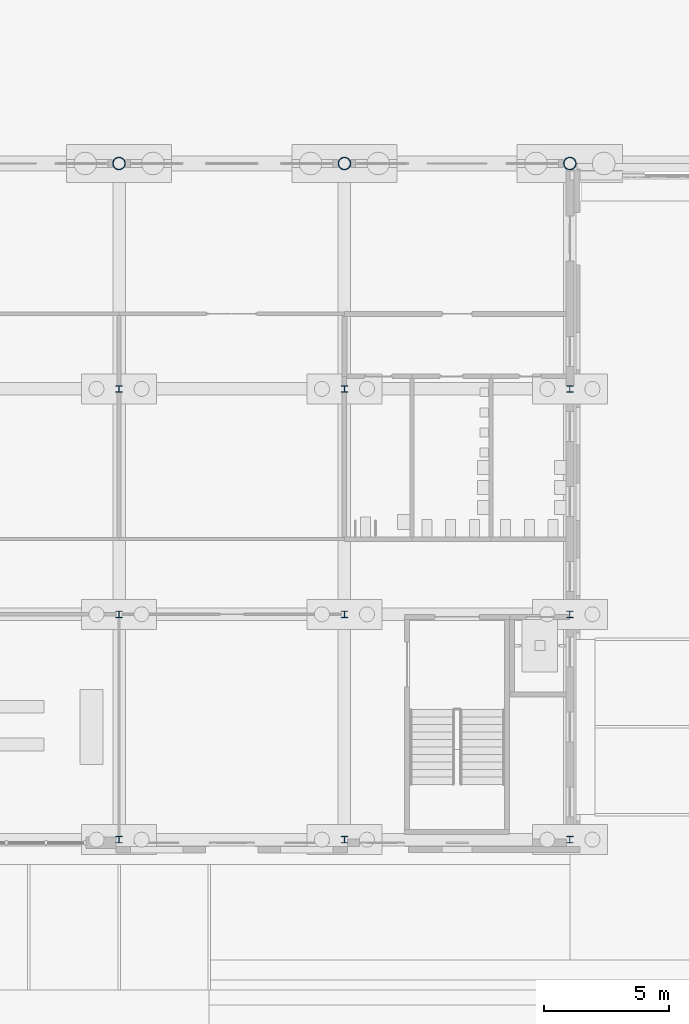
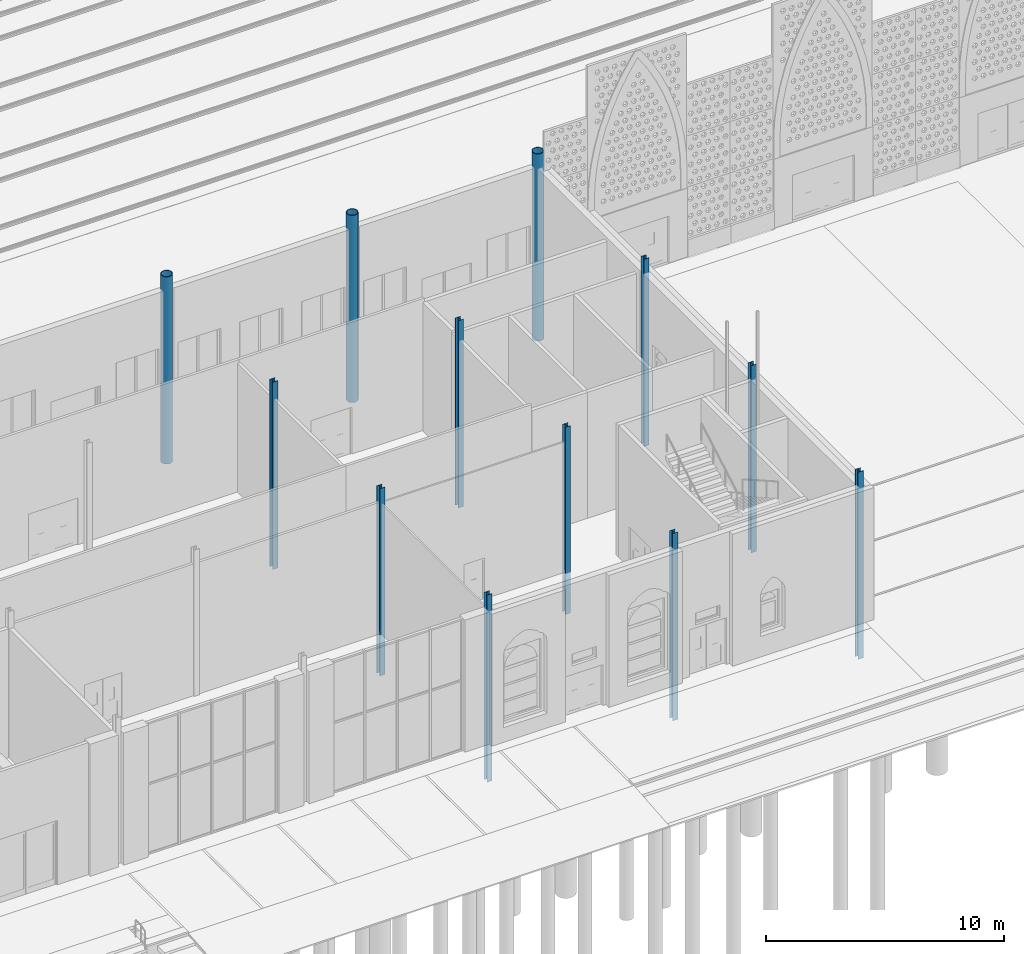
# One storey, part 20 of 250: 12 columns.
"""IFC4 building model written with IfcOpenShell, lengths in metres."""

from ifc_helpers import new_model, si_unit, direction, frame, origin, origin_2d, place, context, subcontext, project, spatial, hollow_circle, i_section, extrude, material, material_profile, profile_set, type_object, element, save


model = new_model("IFC4")

# Units and contexts
model_context = context("Model", 3, precision=1e-05, world=origin(), true_north=direction((0.0, 1.0)))
body_context = subcontext(model_context, "Body", "Model", "MODEL_VIEW")
ifc_project = project(units=[si_unit("LENGTHUNIT", "METRE"), si_unit("AREAUNIT", "SQUARE_METRE"), si_unit("VOLUMEUNIT", "CUBIC_METRE"), si_unit("PLANEANGLEUNIT", "RADIAN"), si_unit("MASSUNIT", "GRAM", prefix="KILO")], contexts=[model_context])

# Site, building, storey
site_placement = place(None, origin())
site = spatial("IfcSite", under=ifc_project, at=site_placement, CompositionType="ELEMENT")
building_placement = place(site_placement, origin())
building = spatial("IfcBuilding", under=site, at=building_placement, Name="Baradari Gate Terminus", CompositionType="ELEMENT")
storey_placement = place(building_placement, origin())
storey = spatial("IfcBuildingStorey", under=building, at=storey_placement, Name="L00", CompositionType="ELEMENT", Elevation=0.0)

# Columns
ifc_material_1 = material(Name="Steel S355", Category="steel")
ifc_material_profile_1 = material_profile(ifc_material_1, hollow_circle(Radius=0.25390625, WallThickness=0.02490234375, at=origin_2d()), Name="CHS 508x25")
ifc_profile_set_1 = profile_set([ifc_material_profile_1], Name="Steel S355")
column_type_1 = type_object("IfcColumnType", Name="Shed column C11 CHS 508x25", PredefinedType="COLUMN", material=ifc_profile_set_1)
for number, where, z_axis, x_axis, name in (
    (1, (135.0, 36.0, -2.10009765625), (0.0, 0.0, 1.0), (1.0, 0.0, 0.0), "C11 column 16-E L00"),
    (2, (144.0, 36.0, -2.10009765625), (0.0, 0.0, 1.0), (1.0, 0.0, 0.0), "C11 column 17-E L00"),
    (3, (153.0, 36.0, -2.10009765625), (0.0, 0.0, 1.0), (1.0, 0.0, 0.0), "C11 column 18-E L00"),
):
    element("IfcColumn", number, at=place(storey_placement, frame(where, z_axis=z_axis, x_axis=x_axis)), inside=storey, type_object=column_type_1, Name=name, PredefinedType="COLUMN", context=body_context, shape_type="SweptSolid", body=[
        extrude(hollow_circle(Radius=0.25390625, WallThickness=0.02490234375, at=origin_2d()), origin(), (0.0, 0.0, 1.0), 9.60009765625),
    ])
ifc_material_2 = material(Name="Steel S355", Category="steel")
ifc_material_profile_2 = material_profile(ifc_material_2, i_section(OverallWidth=0.25634765625, OverallDepth=0.26025390625, WebThickness=0.01025390625, FlangeThickness=0.017333984375, FilletRadius=0.0126953125, at=origin_2d()), Name="UC 254x254x89")
ifc_profile_set_2 = profile_set([ifc_material_profile_2], Name="Steel S355")
column_type_2 = type_object("IfcColumnType", Name="South wing column C04 UC 254x254x89", PredefinedType="COLUMN", material=ifc_profile_set_2)
for number, where, z_axis, x_axis, name in (
    (4, (135.0, 18.0, -2.10009765625), (0.0, 0.0, 1.0), (1.0, 0.0, 0.0), "C04 column 16-C L00"),
    (5, (135.0, 27.0, -2.10009765625), (0.0, 0.0, 1.0), (1.0, 0.0, 0.0), "C04 column 16-D L00"),
    (6, (144.0, 18.0, -2.10009765625), (0.0, 0.0, 1.0), (1.0, 0.0, 0.0), "C04 column 17-C L00"),
    (7, (144.0, 27.0, -2.10009765625), (0.0, 0.0, 1.0), (1.0, 0.0, 0.0), "C04 column 17-D L00"),
    (8, (153.0, 18.0, -2.10009765625), (0.0, 0.0, 1.0), (1.0, 0.0, 0.0), "C04 column 18-C L00"),
    (9, (153.0, 27.0, -2.10009765625), (0.0, 0.0, 1.0), (1.0, 0.0, 0.0), "C04 column 18-D L00"),
):
    element("IfcColumn", number, at=place(storey_placement, frame(where, z_axis=z_axis, x_axis=x_axis)), inside=storey, type_object=column_type_2, Name=name, PredefinedType="COLUMN", context=body_context, shape_type="SweptSolid", body=[
        extrude(i_section(OverallWidth=0.25634765625, OverallDepth=0.26025390625, WebThickness=0.01025390625, FlangeThickness=0.017333984375, FilletRadius=0.0126953125, at=origin_2d()), origin(), (0.0, 0.0, 1.0), 9.60009765625),
    ])
ifc_material_3 = material(Name="Steel S355", Category="steel")
ifc_material_profile_3 = material_profile(ifc_material_3, i_section(OverallWidth=0.254638671875, OverallDepth=0.254150390625, WebThickness=0.008544921875, FlangeThickness=0.01416015625, FilletRadius=0.0126953125, at=origin_2d()), Name="UC 254x254x73")
ifc_profile_set_3 = profile_set([ifc_material_profile_3], Name="Steel S355")
column_type_3 = type_object("IfcColumnType", Name="South wing facade column C03 UC 254x254x73", PredefinedType="COLUMN", material=ifc_profile_set_3)
for number, where, z_axis, x_axis, name in (
    (10, (135.0, 9.0, -2.10009765625), (0.0, 0.0, 1.0), (1.0, 0.0, 0.0), "C03 column 16-B L00"),
    (11, (144.0, 9.0, -2.10009765625), (0.0, 0.0, 1.0), (1.0, 0.0, 0.0), "C03 column 17-B L00"),
    (12, (153.0, 9.0, -2.10009765625), (0.0, 0.0, 1.0), (1.0, 0.0, 0.0), "C03 column 18-B L00"),
):
    element("IfcColumn", number, at=place(storey_placement, frame(where, z_axis=z_axis, x_axis=x_axis)), inside=storey, type_object=column_type_3, Name=name, PredefinedType="COLUMN", context=body_context, shape_type="SweptSolid", body=[
        extrude(i_section(OverallWidth=0.254638671875, OverallDepth=0.254150390625, WebThickness=0.008544921875, FlangeThickness=0.01416015625, FilletRadius=0.0126953125, at=origin_2d()), origin(), (0.0, 0.0, 1.0), 9.60009765625),
    ])

save(model, "model.ifc")
